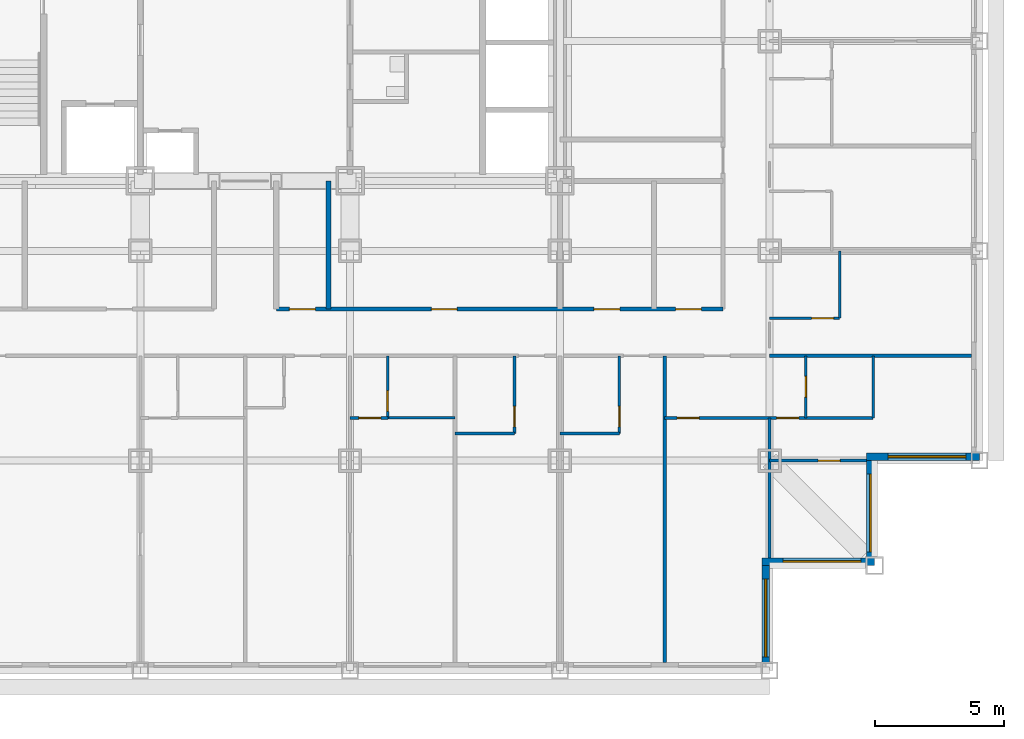
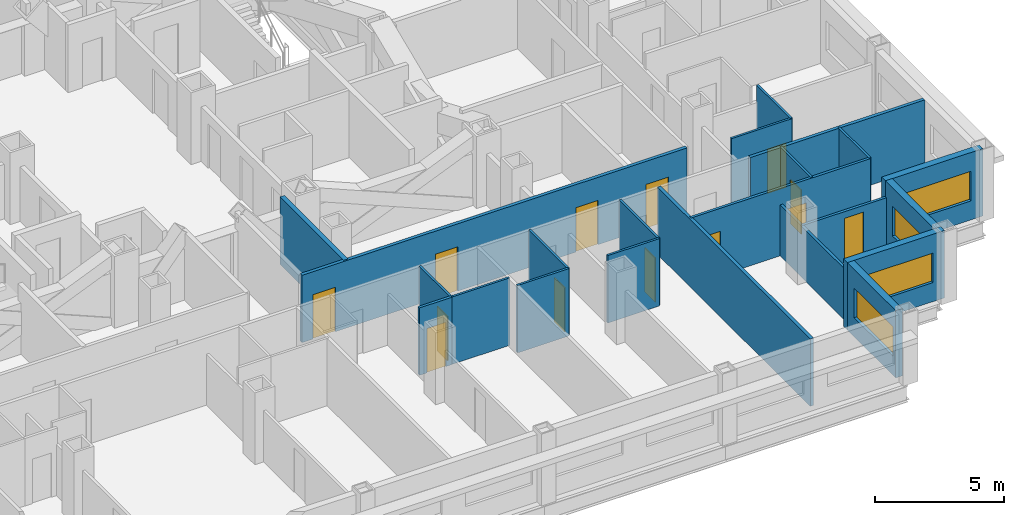
# One storey, part 7 of 14: 22 walls, 13 doors, 4 windows, 17 openings.
"""IFC4 building model written with IfcOpenShell, lengths in metres."""

from ifc_helpers import new_model, si_unit, direction, frame, frame_2d, origin, place, context, subcontext, project, spatial, rectangle, extrude, material, layer, layer_set, type_object, element, fill, save


model = new_model("IFC4")

# Units and contexts
model_context = context("Model", 3, precision=1e-05, world=origin(), true_north=direction((0.0, 1.0)))
body_context = subcontext(model_context, "Body", "Model", "MODEL_VIEW")
ifc_project = project(units=[si_unit("LENGTHUNIT", "METRE"), si_unit("AREAUNIT", "SQUARE_METRE"), si_unit("VOLUMEUNIT", "CUBIC_METRE"), si_unit("PLANEANGLEUNIT", "RADIAN"), si_unit("MASSUNIT", "GRAM", prefix="KILO")], contexts=[model_context])

# Site, building, storey
site_placement = place(None, origin())
site = spatial("IfcSite", under=ifc_project, at=site_placement, CompositionType="ELEMENT")
building_placement = place(site_placement, origin())
building = spatial("IfcBuilding", under=site, at=building_placement, Name="Kopane Lantern Tower", CompositionType="ELEMENT")
storey_placement = place(building_placement, frame((0.0, 0.0, 151.0)))
storey = spatial("IfcBuildingStorey", under=building, at=storey_placement, Name="L39", CompositionType="ELEMENT", Elevation=151.0)

# Wall, openings, doors
ifc_material_1 = material(Name="Gypsum board on steel studs", Category="steel")
ifc_layer_1 = layer(ifc_material_1, 0.1201171875)
ifc_layer_set_1 = layer_set([ifc_layer_1], Name="APARTMENT INTERNAL WALL 120")
wall_type_1 = type_object("IfcWallType", Name="APARTMENT INTERNAL WALL 120", PredefinedType="PARTITIONING", material=ifc_layer_set_1)
wall_1_placement = place(storey_placement, frame((44.550048828125, 15.14990234375, 0.0), z_axis=(0.0, 0.0, 1.0), x_axis=(1.0, 0.0, 0.0)))
wall_1 = element("IfcWall", 1, at=wall_1_placement, inside=storey, type_object=wall_type_1, Name="Apartment Internal Wall 120 L39", PredefinedType="PARTITIONING", context=body_context, shape_type="SweptSolid", body=[
    extrude(rectangle(XDim=8.050048828125, YDim=0.1201171875, at=frame_2d((4.02490234375, 0.0))), origin(), (0.0, 0.0, 1.0), 3.18994140625),
])
opening_1_placement = place(wall_1_placement, frame((0.47509765625, 0.0, 0.0)))
opening_1 = element("IfcOpeningElement", 2, at=opening_1_placement, cuts=wall_1, Name="Opening L39-082", PredefinedType="OPENING", context=body_context, shape_type="SweptSolid", body=[
    extrude(rectangle(XDim=0.85009765625, YDim=2.10009765625, at=frame_2d((0.425048828125, 1.050048828125))), frame((0.0, 0.070068359375, 0.0), z_axis=(0.0, -1.0, 0.0), x_axis=(1.0, 0.0, 0.0)), (0.0, 0.0, 1.0), 0.14013671875),
])
opening_2_placement = place(wall_1_placement, frame((4.324951171875, 0.0, 0.0)))
opening_2 = element("IfcOpeningElement", 3, at=opening_2_placement, cuts=wall_1, Name="Opening L39-084", PredefinedType="OPENING", context=body_context, shape_type="SweptSolid", body=[
    extrude(rectangle(XDim=0.85009765625, YDim=2.10009765625, at=frame_2d((0.425048828125, 1.050048828125))), frame((0.0, 0.070068359375, 0.0), z_axis=(0.0, -1.0, 0.0), x_axis=(1.0, 0.0, 0.0)), (0.0, 0.0, 1.0), 0.14013671875),
])
ifc_material_2 = material(Name="Timber door set", Category="wood")
door_type_1 = type_object("IfcDoorType", Name="DOOR D4 850x2100", OperationType="SINGLE_SWING_LEFT", PredefinedType="DOOR", material=ifc_material_2)
door_1_placement = place(opening_1_placement, origin())
door_1 = element("IfcDoor", 4, at=door_1_placement, inside=storey, type_object=door_type_1, Name="Door L39-082", OperationType="SINGLE_SWING_LEFT", OverallHeight=2.10009765625, OverallWidth=0.85009765625, PredefinedType="DOOR", context=body_context, shape_type="SweptSolid", body=[
    extrude(rectangle(XDim=0.85009765625, YDim=2.10009765625, at=frame_2d((0.425048828125, 1.050048828125))), frame((0.0, 0.02490234375, 0.0), z_axis=(0.0, -1.0, 0.0), x_axis=(1.0, 0.0, 0.0)), (0.0, 0.0, 1.0), 0.050048828125),
])
fill(opening_1, door_1)
door_2_placement = place(opening_2_placement, origin())
door_2 = element("IfcDoor", 5, at=door_2_placement, inside=storey, type_object=door_type_1, Name="Door L39-084", OperationType="SINGLE_SWING_RIGHT", OverallHeight=2.10009765625, OverallWidth=0.85009765625, PredefinedType="DOOR", context=body_context, shape_type="SweptSolid", body=[
    extrude(rectangle(XDim=0.85009765625, YDim=2.10009765625, at=frame_2d((0.425048828125, 1.050048828125))), frame((0.0, 0.02490234375, 0.0), z_axis=(0.0, -1.0, 0.0), x_axis=(1.0, 0.0, 0.0)), (0.0, 0.0, 1.0), 0.050048828125),
])
fill(opening_2, door_2)

# Wall
wall_2_placement = place(storey_placement, frame((48.60009765625, 15.14990234375, 0.0), z_axis=(0.0, 0.0, 1.0), x_axis=(0.0, -1.0, 0.0)))
element("IfcWall", 6, at=wall_2_placement, inside=storey, type_object=wall_type_1, Name="Apartment Internal Wall 120 L39", PredefinedType="PARTITIONING", context=body_context, shape_type="SweptSolid", body=[
    extrude(rectangle(XDim=5.39990234375, YDim=0.1201171875, at=frame_2d((2.699951171875, 0.0))), origin(), (0.0, 0.0, 1.0), 2.420166015625),
])

# Wall, opening, door
wall_3_placement = place(storey_placement, frame((48.60009765625, 13.5, 0.0), z_axis=(0.0, 0.0, 1.0), x_axis=(1.0, 0.0, 0.0)))
wall_3 = element("IfcWall", 7, at=wall_3_placement, inside=storey, type_object=wall_type_1, Name="Apartment Internal Wall 120 L39", PredefinedType="PARTITIONING", context=body_context, shape_type="SweptSolid", body=[
    extrude(rectangle(XDim=3.75, YDim=0.1201171875, at=frame_2d((1.875, 0.0))), origin(), (0.0, 0.0, 1.0), 2.420166015625),
])
opening_3_placement = place(wall_3_placement, frame((1.875, 0.0, 0.0)))
opening_3 = element("IfcOpeningElement", 8, at=opening_3_placement, cuts=wall_3, Name="Opening L39-085", PredefinedType="OPENING", context=body_context, shape_type="SweptSolid", body=[
    extrude(rectangle(XDim=0.85009765625, YDim=2.10009765625, at=frame_2d((0.425048828125, 1.050048828125))), frame((0.0, 0.070068359375, 0.0), z_axis=(0.0, -1.0, 0.0), x_axis=(1.0, 0.0, 0.0)), (0.0, 0.0, 1.0), 0.14013671875),
])
door_3_placement = place(opening_3_placement, origin())
door_3 = element("IfcDoor", 9, at=door_3_placement, inside=storey, type_object=door_type_1, Name="Door L39-085", OperationType="SINGLE_SWING_LEFT", OverallHeight=2.10009765625, OverallWidth=0.85009765625, PredefinedType="DOOR", context=body_context, shape_type="SweptSolid", body=[
    extrude(rectangle(XDim=0.85009765625, YDim=2.10009765625, at=frame_2d((0.425048828125, 1.050048828125))), frame((0.0, 0.02490234375, 0.0), z_axis=(0.0, -1.0, 0.0), x_axis=(1.0, 0.0, 0.0)), (0.0, 0.0, 1.0), 0.050048828125),
])
fill(opening_3, door_3)

wall_4_placement = place(storey_placement, frame((33.860107421875, 15.14990234375, 0.0), z_axis=(0.0, 0.0, 1.0), x_axis=(-1.0, 0.0, 0.0)))
wall_4 = element("IfcWall", 10, at=wall_4_placement, inside=storey, type_object=wall_type_1, Name="Apartment Internal Wall 120 L39", PredefinedType="PARTITIONING", context=body_context, shape_type="SweptSolid", body=[
    extrude(rectangle(XDim=1.460205078125, YDim=0.1201171875, at=frame_2d((0.72998046875, 0.0))), origin(), (0.0, 0.0, 1.0), 3.18994140625),
])
opening_4_placement = place(wall_4_placement, frame((0.27490234375, 0.0, 0.0)))
opening_4 = element("IfcOpeningElement", 11, at=opening_4_placement, cuts=wall_4, Name="Opening L39-094", PredefinedType="OPENING", context=body_context, shape_type="SweptSolid", body=[
    extrude(rectangle(XDim=0.85009765625, YDim=2.10009765625, at=frame_2d((0.425048828125, 1.050048828125))), frame((0.0, 0.070068359375, 0.0), z_axis=(0.0, -1.0, 0.0), x_axis=(1.0, 0.0, 0.0)), (0.0, 0.0, 1.0), 0.14013671875),
])
door_4_placement = place(opening_4_placement, origin())
door_4 = element("IfcDoor", 12, at=door_4_placement, inside=storey, type_object=door_type_1, Name="Door L39-094", OperationType="SINGLE_SWING_RIGHT", OverallHeight=2.10009765625, OverallWidth=0.85009765625, PredefinedType="DOOR", context=body_context, shape_type="SweptSolid", body=[
    extrude(rectangle(XDim=0.85009765625, YDim=2.10009765625, at=frame_2d((0.425048828125, 1.050048828125))), frame((0.0, 0.02490234375, 0.0), z_axis=(0.0, -1.0, 0.0), x_axis=(1.0, 0.0, 0.0)), (0.0, 0.0, 1.0), 0.050048828125),
])
fill(opening_4, door_4)

# Wall
ifc_material_3 = material(Name="Moisture-resistant board on steel studs", Category="steel")
ifc_layer_2 = layer(ifc_material_3, 0.10009765625)
ifc_layer_set_2 = layer_set([ifc_layer_2], Name="BATHROOM WALL 100")
wall_type_2 = type_object("IfcWallType", Name="BATHROOM WALL 100", PredefinedType="PARTITIONING", material=ifc_layer_set_2)
wall_5_placement = place(storey_placement, frame((33.85009765625, 15.14990234375, 0.0), z_axis=(0.0, 0.0, 1.0), x_axis=(1.0, 0.0, 0.0)))
element("IfcWall", 13, at=wall_5_placement, inside=storey, type_object=wall_type_2, Name="Bathroom Wall 100 L39", PredefinedType="PARTITIONING", context=body_context, shape_type="SweptSolid", body=[
    extrude(rectangle(XDim=2.599853515625, YDim=0.10009765625, at=frame_2d((1.2998046875, 0.0))), origin(), (0.0, 0.0, 1.0), 3.18994140625),
])

# Wall, opening, door
wall_6_placement = place(storey_placement, frame((33.85009765625, 17.550048828125, 0.0), z_axis=(0.0, 0.0, 1.0), x_axis=(0.0, -1.0, 0.0)))
wall_6 = element("IfcWall", 14, at=wall_6_placement, inside=storey, type_object=wall_type_2, Name="Bathroom Wall 100 L39", PredefinedType="PARTITIONING", context=body_context, shape_type="SweptSolid", body=[
    extrude(rectangle(XDim=2.400146484375, YDim=0.10009765625, at=frame_2d((1.2001953125, 0.0))), origin(), (0.0, 0.0, 1.0), 3.18994140625),
])
opening_5_placement = place(wall_6_placement, frame((1.35009765625, 0.0, 0.0)))
opening_5 = element("IfcOpeningElement", 15, at=opening_5_placement, cuts=wall_6, Name="Opening L39-031", PredefinedType="OPENING", context=body_context, shape_type="SweptSolid", body=[
    extrude(rectangle(XDim=0.800048828125, YDim=2.10009765625, at=frame_2d((0.39990234375, 1.050048828125))), frame((0.0, 0.06005859375, 0.0), z_axis=(0.0, -1.0, 0.0), x_axis=(1.0, 0.0, 0.0)), (0.0, 0.0, 1.0), 0.1201171875),
])
ifc_material_4 = material(Name="Timber door set", Category="wood")
door_type_2 = type_object("IfcDoorType", Name="DOOR D2 800x2100", OperationType="SINGLE_SWING_LEFT", PredefinedType="DOOR", material=ifc_material_4)
door_5_placement = place(opening_5_placement, origin())
door_5 = element("IfcDoor", 16, at=door_5_placement, inside=storey, type_object=door_type_2, Name="Door L39-031", OperationType="SINGLE_SWING_LEFT", OverallHeight=2.10009765625, OverallWidth=0.800048828125, PredefinedType="DOOR", context=body_context, shape_type="SweptSolid", body=[
    extrude(rectangle(XDim=0.800048828125, YDim=2.10009765625, at=frame_2d((0.39990234375, 1.050048828125))), frame((0.0, 0.02490234375, 0.0), z_axis=(0.0, -1.0, 0.0), x_axis=(1.0, 0.0, 0.0)), (0.0, 0.0, 1.0), 0.050048828125),
])
fill(opening_5, door_5)

# Wall
wall_7_placement = place(storey_placement, frame((36.449951171875, 14.550048828125, 0.0), z_axis=(0.0, 0.0, 1.0), x_axis=(1.0, 0.0, 0.0)))
element("IfcWall", 17, at=wall_7_placement, inside=storey, type_object=wall_type_2, Name="Bathroom Wall 100 L39", PredefinedType="PARTITIONING", context=body_context, shape_type="SweptSolid", body=[
    extrude(rectangle(XDim=2.300048828125, YDim=0.10009765625, at=frame_2d((1.14990234375, 0.0))), origin(), (0.0, 0.0, 1.0), 3.18994140625),
])

# Wall, opening, door
wall_8_placement = place(storey_placement, frame((38.75, 17.550048828125, 0.0), z_axis=(0.0, 0.0, 1.0), x_axis=(0.0, -1.0, 0.0)))
wall_8 = element("IfcWall", 18, at=wall_8_placement, inside=storey, type_object=wall_type_2, Name="Bathroom Wall 100 L39", PredefinedType="PARTITIONING", context=body_context, shape_type="SweptSolid", body=[
    extrude(rectangle(XDim=3.0, YDim=0.10009765625, at=frame_2d((1.5, 0.0))), origin(), (0.0, 0.0, 1.0), 3.18994140625),
])
opening_6_placement = place(wall_8_placement, frame((1.949951171875, 0.0, 0.0)))
opening_6 = element("IfcOpeningElement", 19, at=opening_6_placement, cuts=wall_8, Name="Opening L39-033", PredefinedType="OPENING", context=body_context, shape_type="SweptSolid", body=[
    extrude(rectangle(XDim=0.800048828125, YDim=2.10009765625, at=frame_2d((0.39990234375, 1.050048828125))), frame((0.0, 0.06005859375, 0.0), z_axis=(0.0, -1.0, 0.0), x_axis=(1.0, 0.0, 0.0)), (0.0, 0.0, 1.0), 0.1201171875),
])
door_6_placement = place(opening_6_placement, origin())
door_6 = element("IfcDoor", 20, at=door_6_placement, inside=storey, type_object=door_type_2, Name="Door L39-033", OperationType="SINGLE_SWING_LEFT", OverallHeight=2.10009765625, OverallWidth=0.800048828125, PredefinedType="DOOR", context=body_context, shape_type="SweptSolid", body=[
    extrude(rectangle(XDim=0.800048828125, YDim=2.10009765625, at=frame_2d((0.39990234375, 1.050048828125))), frame((0.0, 0.02490234375, 0.0), z_axis=(0.0, -1.0, 0.0), x_axis=(1.0, 0.0, 0.0)), (0.0, 0.0, 1.0), 0.050048828125),
])
fill(opening_6, door_6)

# Wall
wall_9_placement = place(storey_placement, frame((40.5, 14.550048828125, 0.0), z_axis=(0.0, 0.0, 1.0), x_axis=(1.0, 0.0, 0.0)))
element("IfcWall", 21, at=wall_9_placement, inside=storey, type_object=wall_type_2, Name="Bathroom Wall 100 L39", PredefinedType="PARTITIONING", context=body_context, shape_type="SweptSolid", body=[
    extrude(rectangle(XDim=2.300048828125, YDim=0.10009765625, at=frame_2d((1.14990234375, 0.0))), origin(), (0.0, 0.0, 1.0), 3.18994140625),
])

# Wall, opening, door
wall_10_placement = place(storey_placement, frame((42.800048828125, 17.550048828125, 0.0), z_axis=(0.0, 0.0, 1.0), x_axis=(0.0, -1.0, 0.0)))
wall_10 = element("IfcWall", 22, at=wall_10_placement, inside=storey, type_object=wall_type_2, Name="Bathroom Wall 100 L39", PredefinedType="PARTITIONING", context=body_context, shape_type="SweptSolid", body=[
    extrude(rectangle(XDim=3.0, YDim=0.10009765625, at=frame_2d((1.5, 0.0))), origin(), (0.0, 0.0, 1.0), 3.18994140625),
])
opening_7_placement = place(wall_10_placement, frame((1.949951171875, 0.0, 0.0)))
opening_7 = element("IfcOpeningElement", 23, at=opening_7_placement, cuts=wall_10, Name="Opening L39-035", PredefinedType="OPENING", context=body_context, shape_type="SweptSolid", body=[
    extrude(rectangle(XDim=0.800048828125, YDim=2.10009765625, at=frame_2d((0.39990234375, 1.050048828125))), frame((0.0, 0.06005859375, 0.0), z_axis=(0.0, -1.0, 0.0), x_axis=(1.0, 0.0, 0.0)), (0.0, 0.0, 1.0), 0.1201171875),
])
door_7_placement = place(opening_7_placement, origin())
door_7 = element("IfcDoor", 24, at=door_7_placement, inside=storey, type_object=door_type_2, Name="Door L39-035", OperationType="SINGLE_SWING_LEFT", OverallHeight=2.10009765625, OverallWidth=0.800048828125, PredefinedType="DOOR", context=body_context, shape_type="SweptSolid", body=[
    extrude(rectangle(XDim=0.800048828125, YDim=2.10009765625, at=frame_2d((0.39990234375, 1.050048828125))), frame((0.0, 0.02490234375, 0.0), z_axis=(0.0, -1.0, 0.0), x_axis=(1.0, 0.0, 0.0)), (0.0, 0.0, 1.0), 0.050048828125),
])
fill(opening_7, door_7)

# Wall
wall_11_placement = place(storey_placement, frame((51.300048828125, 19.0, 0.0), z_axis=(0.0, 0.0, 1.0), x_axis=(0.0, 1.0, 0.0)))
element("IfcWall", 25, at=wall_11_placement, inside=storey, type_object=wall_type_2, Name="Bathroom Wall 100 L39", PredefinedType="PARTITIONING", context=body_context, shape_type="SweptSolid", body=[
    extrude(rectangle(XDim=2.60009765625, YDim=0.10009765625, at=frame_2d((1.300048828125, 0.0))), origin(), (0.0, 0.0, 1.0), 3.18994140625),
])

# Wall, opening, door
wall_12_placement = place(storey_placement, frame((48.60009765625, 19.0, 0.0), z_axis=(0.0, 0.0, 1.0), x_axis=(1.0, 0.0, 0.0)))
wall_12 = element("IfcWall", 26, at=wall_12_placement, inside=storey, type_object=wall_type_2, Name="Bathroom Wall 100 L39", PredefinedType="PARTITIONING", context=body_context, shape_type="SweptSolid", body=[
    extrude(rectangle(XDim=2.699951171875, YDim=0.10009765625, at=frame_2d((1.35009765625, 0.0))), origin(), (0.0, 0.0, 1.0), 3.18994140625),
])
opening_8_placement = place(wall_12_placement, frame((1.625, 0.0, 0.0)))
opening_8 = element("IfcOpeningElement", 27, at=opening_8_placement, cuts=wall_12, Name="Opening L39-063", PredefinedType="OPENING", context=body_context, shape_type="SweptSolid", body=[
    extrude(rectangle(XDim=0.85009765625, YDim=2.10009765625, at=frame_2d((0.425048828125, 1.050048828125))), frame((0.0, 0.06005859375, 0.0), z_axis=(0.0, -1.0, 0.0), x_axis=(1.0, 0.0, 0.0)), (0.0, 0.0, 1.0), 0.1201171875),
])
door_8_placement = place(opening_8_placement, origin())
door_8 = element("IfcDoor", 28, at=door_8_placement, inside=storey, type_object=door_type_1, Name="Door L39-063", OperationType="SINGLE_SWING_RIGHT", OverallHeight=2.10009765625, OverallWidth=0.85009765625, PredefinedType="DOOR", context=body_context, shape_type="SweptSolid", body=[
    extrude(rectangle(XDim=0.85009765625, YDim=2.10009765625, at=frame_2d((0.425048828125, 1.050048828125))), frame((0.0, 0.02490234375, 0.0), z_axis=(0.0, -1.0, 0.0), x_axis=(1.0, 0.0, 0.0)), (0.0, 0.0, 1.0), 0.050048828125),
])
fill(opening_8, door_8)

wall_13_placement = place(storey_placement, frame((50.0, 17.550048828125, 0.0), z_axis=(0.0, 0.0, 1.0), x_axis=(0.0, -1.0, 0.0)))
wall_13 = element("IfcWall", 29, at=wall_13_placement, inside=storey, type_object=wall_type_2, Name="Bathroom Wall 100 L39", PredefinedType="PARTITIONING", context=body_context, shape_type="SweptSolid", body=[
    extrude(rectangle(XDim=2.400146484375, YDim=0.10009765625, at=frame_2d((1.2001953125, 0.0))), origin(), (0.0, 0.0, 1.0), 3.18994140625),
])
opening_9_placement = place(wall_13_placement, frame((0.800048828125, 0.0, 0.0)))
opening_9 = element("IfcOpeningElement", 30, at=opening_9_placement, cuts=wall_13, Name="Opening L39-083", PredefinedType="OPENING", context=body_context, shape_type="SweptSolid", body=[
    extrude(rectangle(XDim=0.800048828125, YDim=2.10009765625, at=frame_2d((0.39990234375, 1.050048828125))), frame((0.0, 0.06005859375, 0.0), z_axis=(0.0, -1.0, 0.0), x_axis=(1.0, 0.0, 0.0)), (0.0, 0.0, 1.0), 0.1201171875),
])
door_9_placement = place(opening_9_placement, origin())
door_9 = element("IfcDoor", 31, at=door_9_placement, inside=storey, type_object=door_type_2, Name="Door L39-083", OperationType="SINGLE_SWING_LEFT", OverallHeight=2.10009765625, OverallWidth=0.800048828125, PredefinedType="DOOR", context=body_context, shape_type="SweptSolid", body=[
    extrude(rectangle(XDim=0.800048828125, YDim=2.10009765625, at=frame_2d((0.39990234375, 1.050048828125))), frame((0.0, 0.02490234375, 0.0), z_axis=(0.0, -1.0, 0.0), x_axis=(1.0, 0.0, 0.0)), (0.0, 0.0, 1.0), 0.050048828125),
])
fill(opening_9, door_9)

# Wall
wall_14_placement = place(storey_placement, frame((52.60009765625, 17.550048828125, 0.0), z_axis=(0.0, 0.0, 1.0), x_axis=(0.0, -1.0, 0.0)))
element("IfcWall", 32, at=wall_14_placement, inside=storey, type_object=wall_type_2, Name="Bathroom Wall 100 L39", PredefinedType="PARTITIONING", context=body_context, shape_type="SweptSolid", body=[
    extrude(rectangle(XDim=2.400146484375, YDim=0.10009765625, at=frame_2d((1.2001953125, 0.0))), origin(), (0.0, 0.0, 1.0), 3.18994140625),
])

# Wall, openings, doors
ifc_material_5 = material(Name="Gypsum board on steel studs", Category="steel")
ifc_layer_3 = layer(ifc_material_5, 0.14990234375)
ifc_layer_set_3 = layer_set([ifc_layer_3], Name="CORRIDOR WALL 150 EI 60")
wall_type_3 = type_object("IfcWallType", Name="CORRIDOR WALL 150 EI 60", PredefinedType="PARTITIONING", material=ifc_layer_set_3)
wall_15_placement = place(storey_placement, frame((29.56005859375, 19.35009765625, 0.0), z_axis=(0.0, 0.0, 1.0), x_axis=(1.0, 0.0, 0.0)))
wall_15 = element("IfcWall", 33, at=wall_15_placement, inside=storey, type_object=wall_type_3, Name="Corridor Wall 150 Ei 60 L39", PredefinedType="PARTITIONING", context=body_context, shape_type="SweptSolid", body=[
    extrude(rectangle(XDim=17.239990234375, YDim=0.14990234375, at=frame_2d((8.6201171875, 0.0))), origin(), (0.0, 0.0, 1.0), 3.18994140625),
])
opening_10_placement = place(wall_15_placement, frame((0.5, 0.0, 0.0)))
opening_10 = element("IfcOpeningElement", 34, at=opening_10_placement, cuts=wall_15, Name="Opening L39-012", PredefinedType="OPENING", context=body_context, shape_type="SweptSolid", body=[
    extrude(rectangle(XDim=1.0, YDim=2.10009765625, at=frame_2d((0.5, 1.050048828125))), frame((0.0, 0.0849609375, 0.0), z_axis=(0.0, -1.0, 0.0), x_axis=(1.0, 0.0, 0.0)), (0.0, 0.0, 1.0), 0.169921875),
])
opening_11_placement = place(wall_15_placement, frame((5.97509765625, 0.0, 0.0)))
opening_11 = element("IfcOpeningElement", 35, at=opening_11_placement, cuts=wall_15, Name="Opening L39-013", PredefinedType="OPENING", context=body_context, shape_type="SweptSolid", body=[
    extrude(rectangle(XDim=1.0, YDim=2.10009765625, at=frame_2d((0.5, 1.050048828125))), frame((0.0, 0.0849609375, 0.0), z_axis=(0.0, -1.0, 0.0), x_axis=(1.0, 0.0, 0.0)), (0.0, 0.0, 1.0), 0.169921875),
])
opening_12_placement = place(wall_15_placement, frame((12.25830078125, 0.0, 0.0)))
opening_12 = element("IfcOpeningElement", 36, at=opening_12_placement, cuts=wall_15, Name="Opening L39-014", PredefinedType="OPENING", context=body_context, shape_type="SweptSolid", body=[
    extrude(rectangle(XDim=1.0, YDim=2.10009765625, at=frame_2d((0.5, 1.050048828125))), frame((0.0, 0.0849609375, 0.0), z_axis=(0.0, -1.0, 0.0), x_axis=(1.0, 0.0, 0.0)), (0.0, 0.0, 1.0), 0.169921875),
])
opening_13_placement = place(wall_15_placement, frame((15.408203125, 0.0, 0.0)))
opening_13 = element("IfcOpeningElement", 37, at=opening_13_placement, cuts=wall_15, Name="Opening L39-015", PredefinedType="OPENING", context=body_context, shape_type="SweptSolid", body=[
    extrude(rectangle(XDim=1.0, YDim=2.10009765625, at=frame_2d((0.5, 1.050048828125))), frame((0.0, 0.0849609375, 0.0), z_axis=(0.0, -1.0, 0.0), x_axis=(1.0, 0.0, 0.0)), (0.0, 0.0, 1.0), 0.169921875),
])
ifc_material_6 = material(Name="Steel door set", Category="steel")
door_type_3 = type_object("IfcDoorType", Name="DOOR D5 1000x2100 FD60", OperationType="SINGLE_SWING_LEFT", PredefinedType="DOOR", material=ifc_material_6)
door_10_placement = place(opening_10_placement, origin())
door_10 = element("IfcDoor", 38, at=door_10_placement, inside=storey, type_object=door_type_3, Name="Door L39-012", OperationType="SINGLE_SWING_LEFT", OverallHeight=2.10009765625, OverallWidth=1.0, PredefinedType="DOOR", context=body_context, shape_type="SweptSolid", body=[
    extrude(rectangle(XDim=1.0, YDim=2.10009765625, at=frame_2d((0.5, 1.050048828125))), frame((0.0, 0.02490234375, 0.0), z_axis=(0.0, -1.0, 0.0), x_axis=(1.0, 0.0, 0.0)), (0.0, 0.0, 1.0), 0.050048828125),
])
fill(opening_10, door_10)
door_11_placement = place(opening_11_placement, origin())
door_11 = element("IfcDoor", 39, at=door_11_placement, inside=storey, type_object=door_type_3, Name="Door L39-013", OperationType="SINGLE_SWING_RIGHT", OverallHeight=2.10009765625, OverallWidth=1.0, PredefinedType="DOOR", context=body_context, shape_type="SweptSolid", body=[
    extrude(rectangle(XDim=1.0, YDim=2.10009765625, at=frame_2d((0.5, 1.050048828125))), frame((0.0, 0.02490234375, 0.0), z_axis=(0.0, -1.0, 0.0), x_axis=(1.0, 0.0, 0.0)), (0.0, 0.0, 1.0), 0.050048828125),
])
fill(opening_11, door_11)
door_12_placement = place(opening_12_placement, origin())
door_12 = element("IfcDoor", 40, at=door_12_placement, inside=storey, type_object=door_type_3, Name="Door L39-014", OperationType="SINGLE_SWING_LEFT", OverallHeight=2.10009765625, OverallWidth=1.0, PredefinedType="DOOR", context=body_context, shape_type="SweptSolid", body=[
    extrude(rectangle(XDim=1.0, YDim=2.10009765625, at=frame_2d((0.5, 1.050048828125))), frame((0.0, 0.02490234375, 0.0), z_axis=(0.0, -1.0, 0.0), x_axis=(1.0, 0.0, 0.0)), (0.0, 0.0, 1.0), 0.050048828125),
])
fill(opening_12, door_12)
door_13_placement = place(opening_13_placement, origin())
door_13 = element("IfcDoor", 41, at=door_13_placement, inside=storey, type_object=door_type_3, Name="Door L39-015", OperationType="SINGLE_SWING_RIGHT", OverallHeight=2.10009765625, OverallWidth=1.0, PredefinedType="DOOR", context=body_context, shape_type="SweptSolid", body=[
    extrude(rectangle(XDim=1.0, YDim=2.10009765625, at=frame_2d((0.5, 1.050048828125))), frame((0.0, 0.02490234375, 0.0), z_axis=(0.0, -1.0, 0.0), x_axis=(1.0, 0.0, 0.0)), (0.0, 0.0, 1.0), 0.050048828125),
])
fill(opening_13, door_13)

# Walls
ifc_material_7 = material(Name="Gypsum board on steel studs", Category="steel")
ifc_layer_4 = layer(ifc_material_7, 0.14990234375)
ifc_layer_set_4 = layer_set([ifc_layer_4], Name="DEMISING WALL 150 EI 60")
wall_type_4 = type_object("IfcWallType", Name="DEMISING WALL 150 EI 60", PredefinedType="PARTITIONING", material=ifc_layer_set_4)
wall_16_placement = place(storey_placement, frame((48.60009765625, 17.550048828125, 0.0), z_axis=(0.0, 0.0, 1.0), x_axis=(1.0, 0.0, 0.0)))
element("IfcWall", 42, at=wall_16_placement, inside=storey, type_object=wall_type_4, Name="Demising Wall 150 Ei 60 L39", PredefinedType="PARTITIONING", context=body_context, shape_type="SweptSolid", body=[
    extrude(rectangle(XDim=7.7998046875, YDim=0.14990234375, at=frame_2d((3.89990234375, 0.0))), origin(), (0.0, 0.0, 1.0), 3.18994140625),
])
wall_17_placement = place(storey_placement, frame((44.550048828125, 17.550048828125, 0.0), z_axis=(0.0, 0.0, 1.0), x_axis=(0.0, -1.0, 0.0)))
element("IfcWall", 43, at=wall_17_placement, inside=storey, type_object=wall_type_4, Name="Demising Wall 150 Ei 60 L39", PredefinedType="PARTITIONING", context=body_context, shape_type="SweptSolid", body=[
    extrude(rectangle(XDim=11.85009765625, YDim=0.14990234375, at=frame_2d((5.925048828125, 0.0))), origin(), (0.0, 0.0, 1.0), 3.18994140625),
])

# Wall, opening, window
ifc_material_8 = material(Name="Terracotta rainscreen on light steel framing", Category="masonry")
ifc_layer_5 = layer(ifc_material_8, 0.300048828125)
ifc_layer_set_5 = layer_set([ifc_layer_5], Name="EXTERNAL WALL EW1 300 TERRACOTTA")
wall_type_5 = type_object("IfcWallType", Name="EXTERNAL WALL EW1 300 TERRACOTTA", PredefinedType="SOLIDWALL", material=ifc_layer_set_5)
wall_18_placement = place(storey_placement, frame((48.449951171875, 5.699951171875, 0.0), z_axis=(0.0, 0.0, 1.0), x_axis=(0.0, 1.0, 0.0)))
wall_18 = element("IfcWall", 44, at=wall_18_placement, inside=storey, type_object=wall_type_5, Name="External wall E L39", PredefinedType="SOLIDWALL", context=body_context, shape_type="SweptSolid", body=[
    extrude(rectangle(XDim=3.75, YDim=0.300048828125, at=frame_2d((1.875, 0.0))), origin(), (0.0, 0.0, 1.0), 3.18994140625),
])
opening_14_placement = place(wall_18_placement, frame((0.22509765625, 0.0, 0.89990234375)))
opening_14 = element("IfcOpeningElement", 45, at=opening_14_placement, cuts=wall_18, Name="Opening WR300140", PredefinedType="OPENING", context=body_context, shape_type="SweptSolid", body=[
    extrude(rectangle(XDim=3.0, YDim=1.39990234375, at=frame_2d((1.5, 0.699951171875))), frame((0.0, 0.159912109375, 0.0), z_axis=(0.0, -1.0, 0.0), x_axis=(1.0, 0.0, 0.0)), (0.0, 0.0, 1.0), 0.320068359375),
])
ifc_material_9 = material(Name="Aluminium and clear glass", Category="aluminium")
window_type = type_object("IfcWindowType", Name="RIBBON WINDOW WR300140 3000x1400", PartitioningType="SINGLE_PANEL", PredefinedType="WINDOW", material=ifc_material_9)
window_1_placement = place(opening_14_placement, origin())
window_1 = element("IfcWindow", 46, at=window_1_placement, inside=storey, type_object=window_type, Name="Window E L39", OverallHeight=1.39990234375, OverallWidth=3.0, PartitioningType="SINGLE_PANEL", PredefinedType="WINDOW", context=body_context, shape_type="SweptSolid", body=[
    extrude(rectangle(XDim=3.0, YDim=1.39990234375, at=frame_2d((1.5, 0.699951171875))), frame((0.0, 0.030029296875, 0.0), z_axis=(0.0, -1.0, 0.0), x_axis=(1.0, 0.0, 0.0)), (0.0, 0.0, 1.0), 0.06005859375),
])
fill(opening_14, window_1)

wall_19_placement = place(storey_placement, frame((48.300048828125, 9.60009765625, 0.0), z_axis=(0.0, 0.0, 1.0), x_axis=(1.0, 0.0, 0.0)))
wall_19 = element("IfcWall", 47, at=wall_19_placement, inside=storey, type_object=wall_type_5, Name="External wall S L39", PredefinedType="SOLIDWALL", context=body_context, shape_type="SweptSolid", body=[
    extrude(rectangle(XDim=4.349853515625, YDim=0.300048828125, at=frame_2d((2.1748046875, 0.0))), origin(), (0.0, 0.0, 1.0), 3.18994140625),
])
opening_15_placement = place(wall_19_placement, frame((0.824951171875, 0.0, 0.89990234375)))
opening_15 = element("IfcOpeningElement", 48, at=opening_15_placement, cuts=wall_19, Name="Opening WR300140", PredefinedType="OPENING", context=body_context, shape_type="SweptSolid", body=[
    extrude(rectangle(XDim=3.0, YDim=1.39990234375, at=frame_2d((1.5, 0.699951171875))), frame((0.0, 0.159912109375, 0.0), z_axis=(0.0, -1.0, 0.0), x_axis=(1.0, 0.0, 0.0)), (0.0, 0.0, 1.0), 0.320068359375),
])
window_2_placement = place(opening_15_placement, origin())
window_2 = element("IfcWindow", 49, at=window_2_placement, inside=storey, type_object=window_type, Name="Window S L39", OverallHeight=1.39990234375, OverallWidth=3.0, PartitioningType="SINGLE_PANEL", PredefinedType="WINDOW", context=body_context, shape_type="SweptSolid", body=[
    extrude(rectangle(XDim=3.0, YDim=1.39990234375, at=frame_2d((1.5, 0.699951171875))), frame((0.0, 0.030029296875, 0.0), z_axis=(0.0, -1.0, 0.0), x_axis=(1.0, 0.0, 0.0)), (0.0, 0.0, 1.0), 0.06005859375),
])
fill(opening_15, window_2)

wall_20_placement = place(storey_placement, frame((52.5, 9.75, 0.0), z_axis=(0.0, 0.0, 1.0), x_axis=(0.0, 1.0, 0.0)))
wall_20 = element("IfcWall", 50, at=wall_20_placement, inside=storey, type_object=wall_type_5, Name="External wall E L39", PredefinedType="SOLIDWALL", context=body_context, shape_type="SweptSolid", body=[
    extrude(rectangle(XDim=3.75, YDim=0.300048828125, at=frame_2d((1.875, 0.0))), origin(), (0.0, 0.0, 1.0), 3.18994140625),
])
opening_16_placement = place(wall_20_placement, frame((0.22509765625, 0.0, 0.89990234375)))
opening_16 = element("IfcOpeningElement", 51, at=opening_16_placement, cuts=wall_20, Name="Opening WR300140", PredefinedType="OPENING", context=body_context, shape_type="SweptSolid", body=[
    extrude(rectangle(XDim=3.0, YDim=1.39990234375, at=frame_2d((1.5, 0.699951171875))), frame((0.0, 0.159912109375, 0.0), z_axis=(0.0, -1.0, 0.0), x_axis=(1.0, 0.0, 0.0)), (0.0, 0.0, 1.0), 0.320068359375),
])
window_3_placement = place(opening_16_placement, origin())
window_3 = element("IfcWindow", 52, at=window_3_placement, inside=storey, type_object=window_type, Name="Window E L39", OverallHeight=1.39990234375, OverallWidth=3.0, PartitioningType="SINGLE_PANEL", PredefinedType="WINDOW", context=body_context, shape_type="SweptSolid", body=[
    extrude(rectangle(XDim=3.0, YDim=1.39990234375, at=frame_2d((1.5, 0.699951171875))), frame((0.0, 0.030029296875, 0.0), z_axis=(0.0, -1.0, 0.0), x_axis=(1.0, 0.0, 0.0)), (0.0, 0.0, 1.0), 0.06005859375),
])
fill(opening_16, window_3)

wall_21_placement = place(storey_placement, frame((52.35009765625, 13.64990234375, 0.0), z_axis=(0.0, 0.0, 1.0), x_axis=(1.0, 0.0, 0.0)))
wall_21 = element("IfcWall", 53, at=wall_21_placement, inside=storey, type_object=wall_type_5, Name="External wall S L39", PredefinedType="SOLIDWALL", context=body_context, shape_type="SweptSolid", body=[
    extrude(rectangle(XDim=4.349853515625, YDim=0.300048828125, at=frame_2d((2.1748046875, 0.0))), origin(), (0.0, 0.0, 1.0), 3.18994140625),
])
opening_17_placement = place(wall_21_placement, frame((0.824951171875, 0.0, 0.89990234375)))
opening_17 = element("IfcOpeningElement", 54, at=opening_17_placement, cuts=wall_21, Name="Opening WR300140", PredefinedType="OPENING", context=body_context, shape_type="SweptSolid", body=[
    extrude(rectangle(XDim=3.0, YDim=1.39990234375, at=frame_2d((1.5, 0.699951171875))), frame((0.0, 0.159912109375, 0.0), z_axis=(0.0, -1.0, 0.0), x_axis=(1.0, 0.0, 0.0)), (0.0, 0.0, 1.0), 0.320068359375),
])
window_4_placement = place(opening_17_placement, origin())
window_4 = element("IfcWindow", 55, at=window_4_placement, inside=storey, type_object=window_type, Name="Window S L39", OverallHeight=1.39990234375, OverallWidth=3.0, PartitioningType="SINGLE_PANEL", PredefinedType="WINDOW", context=body_context, shape_type="SweptSolid", body=[
    extrude(rectangle(XDim=3.0, YDim=1.39990234375, at=frame_2d((1.5, 0.699951171875))), frame((0.0, 0.030029296875, 0.0), z_axis=(0.0, -1.0, 0.0), x_axis=(1.0, 0.0, 0.0)), (0.0, 0.0, 1.0), 0.06005859375),
])
fill(opening_17, window_4)

# Wall
ifc_material_10 = material(Name="Concrete masonry", Category="masonry")
ifc_layer_6 = layer(ifc_material_10, 0.199951171875)
ifc_layer_set_6 = layer_set([ifc_layer_6], Name="PLANT ROOM WALL 200 EI 120")
wall_type_6 = type_object("IfcWallType", Name="PLANT ROOM WALL 200 EI 120", PredefinedType="SOLIDWALL", material=ifc_layer_set_6)
wall_22_placement = place(storey_placement, frame((31.5703125, 19.35009765625, 0.0), z_axis=(0.0, 0.0, 1.0), x_axis=(0.0, 1.0, 0.0)))
element("IfcWall", 56, at=wall_22_placement, inside=storey, type_object=wall_type_6, Name="Plant Room Wall 200 Ei 120 L39", PredefinedType="SOLIDWALL", context=body_context, shape_type="SweptSolid", body=[
    extrude(rectangle(XDim=4.949951171875, YDim=0.199951171875, at=frame_2d((2.47509765625, 0.0))), origin(), (0.0, 0.0, 1.0), 3.18994140625),
])

save(model, "model.ifc")
